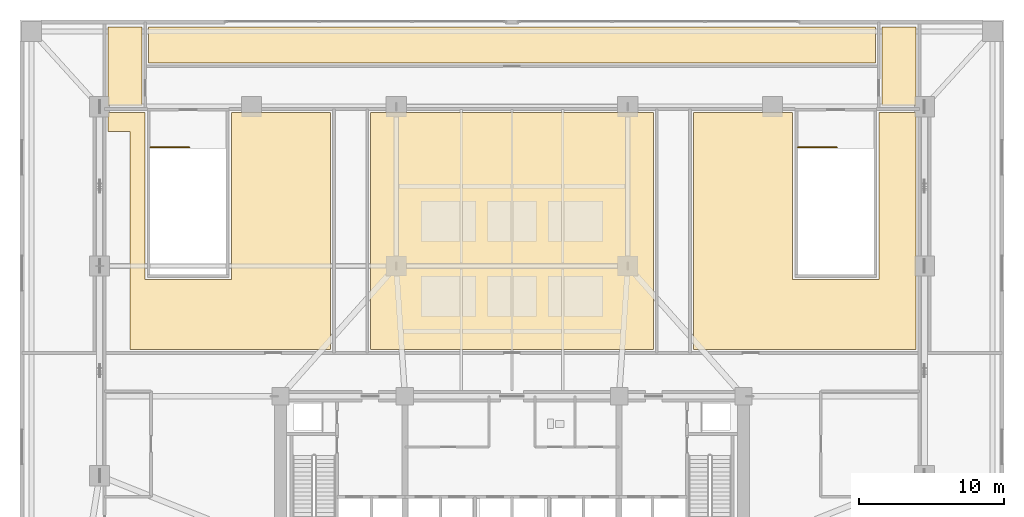
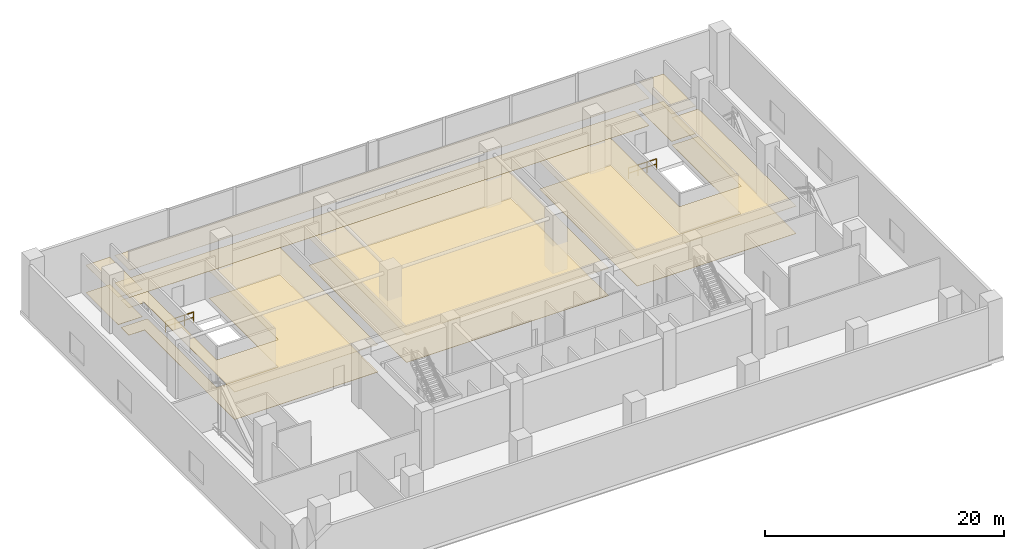
# One storey, part 15 of 16: 12 coverings, 2 railings.
"""IFC4 building model written with IfcOpenShell, lengths in metres."""

from ifc_helpers import new_model, si_unit, direction, frame, origin, origin_2d, place, context, subcontext, project, spatial, polyline, circle, outline, extrude, material, layer, layer_set, type_object, element, save


model = new_model("IFC4")

# Units and contexts
model_context = context("Model", 3, precision=1e-05, world=origin(), true_north=direction((0.0, 1.0)))
body_context = subcontext(model_context, "Body", "Model", "MODEL_VIEW")
ifc_project = project(units=[si_unit("LENGTHUNIT", "METRE"), si_unit("AREAUNIT", "SQUARE_METRE"), si_unit("VOLUMEUNIT", "CUBIC_METRE"), si_unit("PLANEANGLEUNIT", "RADIAN"), si_unit("MASSUNIT", "GRAM", prefix="KILO")], contexts=[model_context])

# Site, building, storey
site_placement = place(None, origin())
site = spatial("IfcSite", under=ifc_project, at=site_placement, CompositionType="ELEMENT")
building_placement = place(site_placement, origin())
building = spatial("IfcBuilding", under=site, at=building_placement, Name="Solmavex Isthmus Hotel", CompositionType="ELEMENT")
storey_placement = place(building_placement, frame((0.0, 0.0, 20.39990234375)))
storey = spatial("IfcBuildingStorey", under=building, at=storey_placement, Name="L05", CompositionType="ELEMENT", Elevation=20.39990234375)

# Coverings
ifc_material_1 = material(Name="Gypsum plasterboard lining", Category="gypsum")
ifc_layer_1 = layer(ifc_material_1, 0.030029296875)
ifc_layer_set_1 = layer_set([ifc_layer_1], Name="Gypsum plasterboard lining")
covering_type_1 = type_object("IfcCoveringType", Name="COV-CEIL-GYP", PredefinedType="CEILING", material=ifc_layer_set_1)
covering_1_placement = place(storey_placement, frame((0.0, 0.0, 2.800048828125)))
element("IfcCovering", 1, at=covering_1_placement, inside=storey, type_object=covering_type_1, Name="Suspended Acoustic Ceiling L05-FIT", PredefinedType="CEILING", context=body_context, shape_type="SweptSolid", body=[
    extrude(outline(polyline([(-19.39990234375, 17.1201171875), (-19.39990234375, 5.550048828125), (-25.35009765625, 5.550048828125), (-25.35009765625, 17.1201171875), (-27.919921875, 17.1201171875), (-27.919921875, 15.800048828125), (-26.39990234375, 15.800048828125), (-26.39990234375, 0.72998046875), (-12.530029296875, 0.72998046875), (-12.530029296875, 17.1201171875), (-19.39990234375, 17.1201171875)])), origin(), (0.0, 0.0, 1.0), 0.030029296875),
])
covering_2_placement = place(storey_placement, frame((0.0, 0.0, 2.800048828125)))
element("IfcCovering", 2, at=covering_2_placement, inside=storey, type_object=covering_type_1, Name="Suspended Acoustic Ceiling L05-PLN", PredefinedType="CEILING", context=body_context, shape_type="SweptSolid", body=[
    extrude(outline(polyline([(9.77001953125, 0.72998046875), (9.77001953125, 17.1201171875), (-9.77001953125, 17.1201171875), (-9.77001953125, 0.72998046875), (9.77001953125, 0.72998046875)])), origin(), (0.0, 0.0, 1.0), 0.030029296875),
])
covering_3_placement = place(storey_placement, frame((0.0, 0.0, 2.800048828125)))
element("IfcCovering", 3, at=covering_3_placement, inside=storey, type_object=covering_type_1, Name="Suspended Acoustic Ceiling L05-SPA", PredefinedType="CEILING", context=body_context, shape_type="SweptSolid", body=[
    extrude(outline(polyline([(25.35009765625, 17.1201171875), (25.35009765625, 5.550048828125), (19.39990234375, 5.550048828125), (19.39990234375, 17.1201171875), (12.530029296875, 17.1201171875), (12.530029296875, 0.72998046875), (27.919921875, 0.72998046875), (27.919921875, 17.1201171875), (25.35009765625, 17.1201171875)])), origin(), (0.0, 0.0, 1.0), 0.030029296875),
])
covering_4_placement = place(storey_placement, frame((0.0, 0.0, 2.800048828125)))
element("IfcCovering", 4, at=covering_4_placement, inside=storey, type_object=covering_type_1, Name="Suspended Acoustic Ceiling L05-NDK", PredefinedType="CEILING", context=body_context, shape_type="SweptSolid", body=[
    extrude(outline(polyline([(25.1201171875, 20.530029296875), (25.1201171875, 23.02001953125), (-25.1201171875, 23.02001953125), (-25.1201171875, 20.530029296875), (25.1201171875, 20.530029296875)])), origin(), (0.0, 0.0, 1.0), 0.030029296875),
])
covering_5_placement = place(storey_placement, frame((0.0, 0.0, 2.800048828125)))
element("IfcCovering", 5, at=covering_5_placement, inside=storey, type_object=covering_type_1, Name="Suspended Acoustic Ceiling L05-TR1", PredefinedType="CEILING", context=body_context, shape_type="SweptSolid", body=[
    extrude(outline(polyline([(-25.580078125, 17.580078125), (-25.580078125, 23.02001953125), (-27.919921875, 23.02001953125), (-27.919921875, 17.580078125), (-25.580078125, 17.580078125)])), origin(), (0.0, 0.0, 1.0), 0.030029296875),
])
covering_6_placement = place(storey_placement, frame((0.0, 0.0, 2.800048828125)))
element("IfcCovering", 6, at=covering_6_placement, inside=storey, type_object=covering_type_1, Name="Suspended Acoustic Ceiling L05-TR2", PredefinedType="CEILING", context=body_context, shape_type="SweptSolid", body=[
    extrude(outline(polyline([(27.919921875, 17.580078125), (27.919921875, 23.02001953125), (25.580078125, 23.02001953125), (25.580078125, 17.580078125), (27.919921875, 17.580078125)])), origin(), (0.0, 0.0, 1.0), 0.030029296875),
])
ifc_material_2 = material(Name="Travertine natural stone", Category="masonry")
ifc_layer_2 = layer(ifc_material_2, 0.02490234375)
ifc_layer_set_2 = layer_set([ifc_layer_2], Name="Travertine natural stone")
covering_type_2 = type_object("IfcCoveringType", Name="COV-FLOR-STN", PredefinedType="FLOORING", material=ifc_layer_set_2)
covering_7_placement = place(storey_placement, origin())
element("IfcCovering", 7, at=covering_7_placement, inside=storey, type_object=covering_type_2, Name="Stone and Timber Floor Finish L05-FIT", PredefinedType="FLOORING", context=body_context, shape_type="SweptSolid", body=[
    extrude(outline(polyline([(-19.39990234375, 17.1201171875), (-19.39990234375, 5.550048828125), (-25.35009765625, 5.550048828125), (-25.35009765625, 17.1201171875), (-27.919921875, 17.1201171875), (-27.919921875, 15.800048828125), (-26.39990234375, 15.800048828125), (-26.39990234375, 0.72998046875), (-12.530029296875, 0.72998046875), (-12.530029296875, 17.1201171875), (-19.39990234375, 17.1201171875)])), origin(), (0.0, 0.0, 1.0), 0.025146484375),
])
covering_8_placement = place(storey_placement, origin())
element("IfcCovering", 8, at=covering_8_placement, inside=storey, type_object=covering_type_2, Name="Stone and Timber Floor Finish L05-PLN", PredefinedType="FLOORING", context=body_context, shape_type="SweptSolid", body=[
    extrude(outline(polyline([(9.77001953125, 0.72998046875), (9.77001953125, 17.1201171875), (-9.77001953125, 17.1201171875), (-9.77001953125, 0.72998046875), (9.77001953125, 0.72998046875)])), origin(), (0.0, 0.0, 1.0), 0.025146484375),
])
covering_9_placement = place(storey_placement, origin())
element("IfcCovering", 9, at=covering_9_placement, inside=storey, type_object=covering_type_2, Name="Stone and Timber Floor Finish L05-SPA", PredefinedType="FLOORING", context=body_context, shape_type="SweptSolid", body=[
    extrude(outline(polyline([(25.35009765625, 17.1201171875), (25.35009765625, 5.550048828125), (19.39990234375, 5.550048828125), (19.39990234375, 17.1201171875), (12.530029296875, 17.1201171875), (12.530029296875, 0.72998046875), (27.919921875, 0.72998046875), (27.919921875, 17.1201171875), (25.35009765625, 17.1201171875)])), origin(), (0.0, 0.0, 1.0), 0.025146484375),
])
covering_10_placement = place(storey_placement, origin())
element("IfcCovering", 10, at=covering_10_placement, inside=storey, type_object=covering_type_2, Name="Stone and Timber Floor Finish L05-NDK", PredefinedType="FLOORING", context=body_context, shape_type="SweptSolid", body=[
    extrude(outline(polyline([(25.1201171875, 20.530029296875), (25.1201171875, 23.02001953125), (-25.1201171875, 23.02001953125), (-25.1201171875, 20.530029296875), (25.1201171875, 20.530029296875)])), origin(), (0.0, 0.0, 1.0), 0.025146484375),
])
covering_11_placement = place(storey_placement, origin())
element("IfcCovering", 11, at=covering_11_placement, inside=storey, type_object=covering_type_2, Name="Stone and Timber Floor Finish L05-TR1", PredefinedType="FLOORING", context=body_context, shape_type="SweptSolid", body=[
    extrude(outline(polyline([(-25.580078125, 17.580078125), (-25.580078125, 23.02001953125), (-27.919921875, 23.02001953125), (-27.919921875, 17.580078125), (-25.580078125, 17.580078125)])), origin(), (0.0, 0.0, 1.0), 0.025146484375),
])
covering_12_placement = place(storey_placement, origin())
element("IfcCovering", 12, at=covering_12_placement, inside=storey, type_object=covering_type_2, Name="Stone and Timber Floor Finish L05-TR2", PredefinedType="FLOORING", context=body_context, shape_type="SweptSolid", body=[
    extrude(outline(polyline([(27.919921875, 17.580078125), (27.919921875, 23.02001953125), (25.580078125, 23.02001953125), (25.580078125, 17.580078125), (27.919921875, 17.580078125)])), origin(), (0.0, 0.0, 1.0), 0.025146484375),
])

# Railings
ifc_material_3 = material(Name="Stainless steel 316", Category="steel")
ifc_layer_3 = layer(ifc_material_3, 0.06005859375)
ifc_layer_set_3 = layer_set([ifc_layer_3], Name="Stainless steel 316")
railing_type = type_object("IfcRailingType", Name="RAIL-STAIR-GD", PredefinedType="GUARDRAIL", material=ifc_layer_set_3)
for number, where, name in (
    (13, (19.75, 14.699951171875, 0.0), "L05 ST-3 top well guard 1"),
    (14, (-25.0, 14.699951171875, 0.0), "L05 ST-4 top well guard 1"),
):
    element("IfcRailing", number, at=place(storey_placement, frame(where)), inside=storey, type_object=railing_type, Name=name, PredefinedType="GUARDRAIL", context=body_context, shape_type="SweptSolid", body=[
        extrude(circle(Radius=0.02392578125, at=origin_2d()), frame((0.0, 0.0, 1.09619140625), z_axis=(1.0, 0.0, 0.0), x_axis=(0.0, 1.0, 0.0)), (0.0, 0.0, 1.0), 2.699951171875),
        extrude(circle(Radius=0.02392578125, at=origin_2d()), frame((0.0, 0.0, 0.56005859375), z_axis=(1.0, 0.0, 0.0), x_axis=(0.0, 1.0, 0.0)), (0.0, 0.0, 1.0), 2.699951171875),
        extrude(circle(Radius=0.02099609375, at=origin_2d()), origin(), (0.0, 0.0, 1.0), 1.072021484375),
        extrude(circle(Radius=0.02099609375, at=origin_2d()), frame((0.89990234375, 0.0, 0.0)), (0.0, 0.0, 1.0), 1.072021484375),
        extrude(circle(Radius=0.02099609375, at=origin_2d()), frame((1.800048828125, 0.0, 0.0)), (0.0, 0.0, 1.0), 1.072021484375),
        extrude(circle(Radius=0.02099609375, at=origin_2d()), frame((2.699951171875, 0.0, 0.0)), (0.0, 0.0, 1.0), 1.072021484375),
    ])

save(model, "model.ifc")
